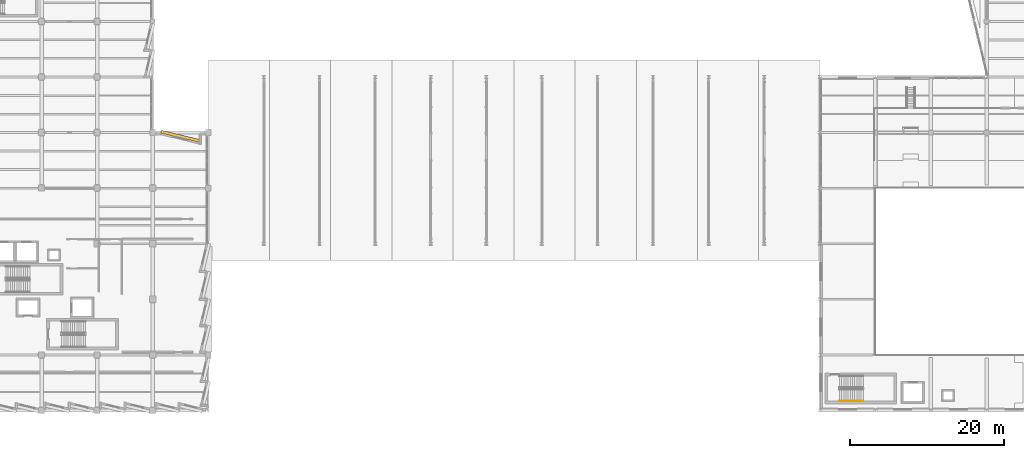
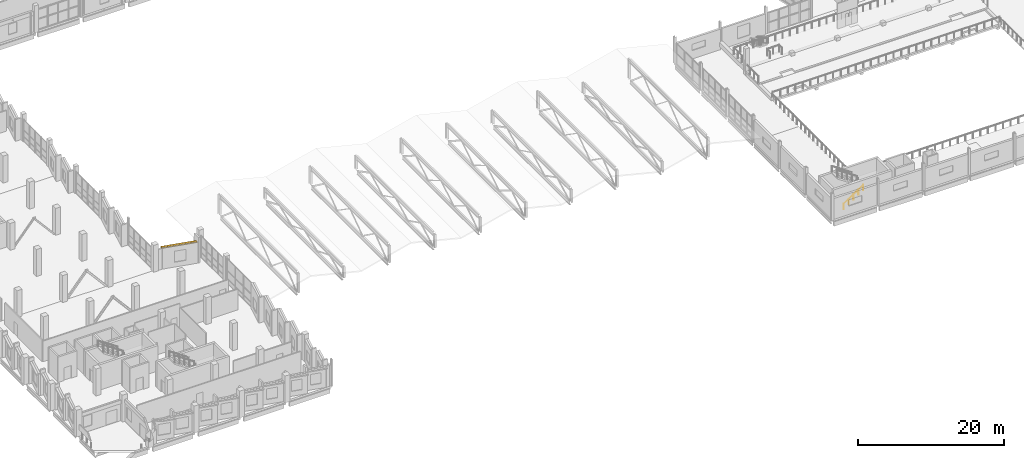
# One storey, part 109 of 123: 1 railing, 1 shading device.
"""IFC4 building model written with IfcOpenShell, lengths in metres."""

from ifc_helpers import new_model, si_unit, direction, frame, origin, origin_2d, place, context, subcontext, project, spatial, rectangle, circle, extrude, material, layer, layer_set, type_object, element, save


model = new_model("IFC4")

# Units and contexts
model_context = context("Model", 3, precision=1e-05, world=origin(), true_north=direction((0.0, 1.0)))
body_context = subcontext(model_context, "Body", "Model", "MODEL_VIEW")
ifc_project = project(units=[si_unit("LENGTHUNIT", "METRE"), si_unit("AREAUNIT", "SQUARE_METRE"), si_unit("VOLUMEUNIT", "CUBIC_METRE"), si_unit("PLANEANGLEUNIT", "RADIAN"), si_unit("MASSUNIT", "GRAM", prefix="KILO")], contexts=[model_context])

# Site, building, storey
site_placement = place(None, origin())
site = spatial("IfcSite", under=ifc_project, at=site_placement, CompositionType="ELEMENT")
building_placement = place(site_placement, origin())
building = spatial("IfcBuilding", under=site, at=building_placement, Name="Kalmorath City Hall", CompositionType="ELEMENT")
storey_placement = place(building_placement, frame((0.0, 0.0, 10.199951171875)))
storey = spatial("IfcBuildingStorey", under=building, at=storey_placement, Name="L02", CompositionType="ELEMENT", Elevation=10.199951171875)

# Shading device
ifc_material_1 = material(Name="Precast concrete C40/50", Category="concrete")
ifc_layer = layer(ifc_material_1, 0.179931640625)
ifc_layer_set = layer_set([ifc_layer], Name="Precast concrete C40/50")
shading_device_type = type_object("IfcShadingDeviceType", Name="Precast sawtooth brow sunshade 350", PredefinedType="USERDEFINED", material=ifc_layer_set)
shading_device_placement = place(storey_placement, frame((32.353759765625, 35.520263671875, 3.26123046875), z_axis=(0.0, 0.0, 1.0), x_axis=(0.972369920398, -0.233445363856, 0.0)))
element("IfcShadingDevice", 1, at=shading_device_placement, inside=storey, type_object=shading_device_type, Name="L02 precast sawtooth hood #269", ObjectType="SUNSHADE", PredefinedType="USERDEFINED", context=body_context, shape_type="SweptSolid", body=[
    extrude(rectangle(XDim=5.1376953125, YDim=0.360107421875, at=origin_2d()), origin(), (0.0, 0.0, 1.0), 0.179931640625),
])

# Railing
ifc_material_2 = material(Name="Brushed stainless steel handrail", Category="steel")
railing_type = type_object("IfcRailingType", Name="Stair pitch handrail 900", PredefinedType="HANDRAIL", material=ifc_material_2)
railing_placement = place(storey_placement, frame((117.75, 1.25, 0.1875)))
element("IfcRailing", 2, at=railing_placement, inside=storey, type_object=railing_type, Name="L02 ST-5 stair handrail 1", PredefinedType="HANDRAIL", context=body_context, shape_type="SweptSolid", body=[
    extrude(circle(Radius=0.02392578125, at=origin_2d()), frame((0.0, 0.0, 0.8759765625), z_axis=(0.830913701846, 0.0, 0.55640131208), x_axis=(0.0, 1.0, 0.0)), (0.0, 0.0, 1.0), 3.706787109375),
    extrude(circle(Radius=0.02099609375, at=origin_2d()), origin(), (0.0, 0.0, 1.0), 0.851806640625),
    extrude(circle(Radius=0.02099609375, at=origin_2d()), frame((0.77001953125, 0.0, 0.515625)), (0.0, 0.0, 1.0), 0.851806640625),
    extrude(circle(Radius=0.02099609375, at=origin_2d()), frame((1.5400390625, 0.0, 1.03125)), (0.0, 0.0, 1.0), 0.851806640625),
    extrude(circle(Radius=0.02099609375, at=origin_2d()), frame((2.31005859375, 0.0, 1.546875)), (0.0, 0.0, 1.0), 0.851806640625),
    extrude(circle(Radius=0.02099609375, at=origin_2d()), frame((3.080078125, 0.0, 2.0625)), (0.0, 0.0, 1.0), 0.851806640625),
])

save(model, "model.ifc")
